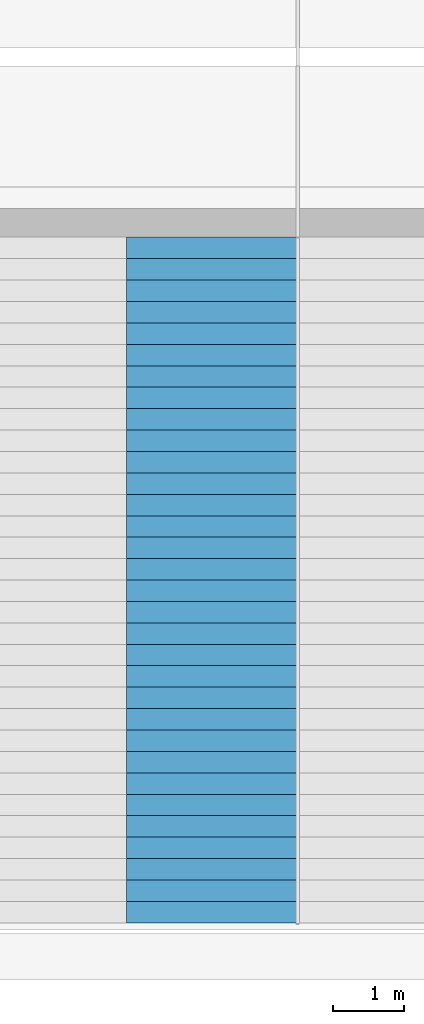
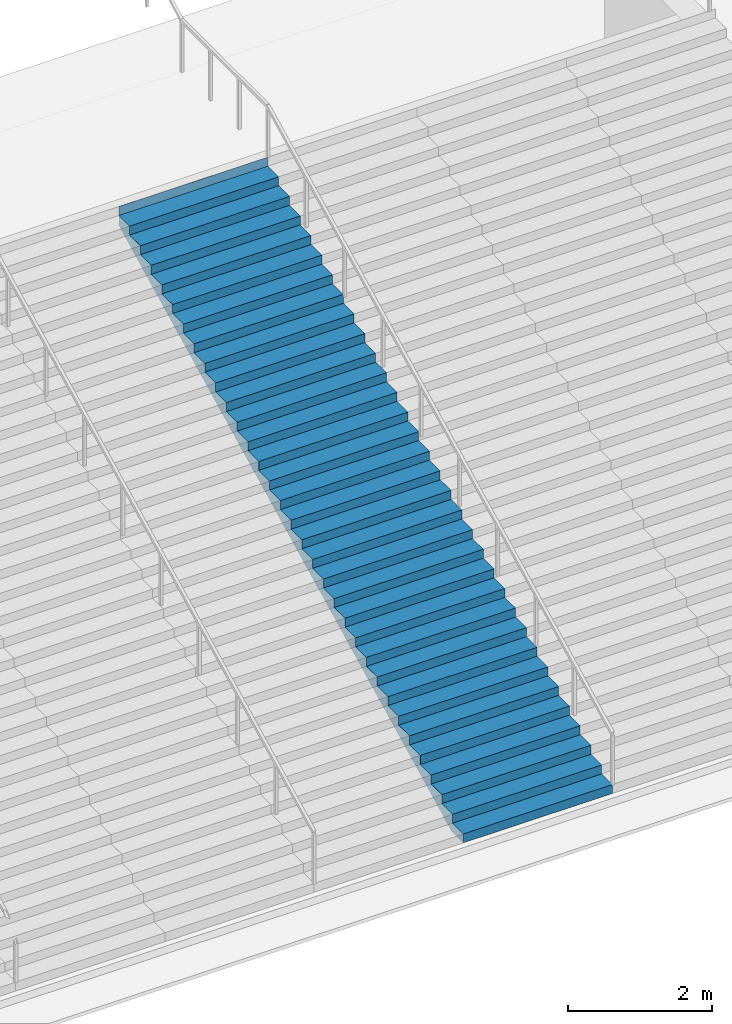
# One storey, part 36 of 57: 1 stair flight, 1 element without a shape of its own.
"""IFC4 building model written with IfcOpenShell, lengths in metres."""

from ifc_helpers import new_model, si_unit, direction, frame, origin, place, context, subcontext, project, spatial, triangles, material, type_object, element, aggregate, save


model = new_model("IFC4")

# Units and contexts
model_context = context("Model", 3, precision=1e-05, world=origin(), true_north=direction((0.0, 1.0)))
body_context = subcontext(model_context, "Body", "Model", "MODEL_VIEW")
ifc_project = project(units=[si_unit("LENGTHUNIT", "METRE"), si_unit("AREAUNIT", "SQUARE_METRE"), si_unit("VOLUMEUNIT", "CUBIC_METRE"), si_unit("PLANEANGLEUNIT", "RADIAN"), si_unit("MASSUNIT", "GRAM", prefix="KILO")], contexts=[model_context])

# Site, building, storey
site_placement = place(None, origin())
site = spatial("IfcSite", under=ifc_project, at=site_placement, CompositionType="ELEMENT")
building_placement = place(site_placement, origin())
building = spatial("IfcBuilding", under=site, at=building_placement, Name="Beryl Residences", CompositionType="ELEMENT")
storey_placement = place(building_placement, origin())
storey = spatial("IfcBuildingStorey", under=building, at=storey_placement, Name="L00", CompositionType="ELEMENT", Elevation=0.0)

# Stair, stair flight
ifc_material_1 = material(Name="Precast concrete C40/50", Category="concrete")
stair_type = type_object("IfcStairType", Name="GS1 garden stair", PredefinedType="STRAIGHT_RUN_STAIR", material=ifc_material_1)
stair_placement = place(storey_placement, origin())
stair = element("IfcStair", 1, at=stair_placement, inside=storey, type_object=stair_type, Name="GS1 garden stair", PredefinedType="STRAIGHT_RUN_STAIR")
ifc_material_2 = material(Name="Precast concrete C40/50", Category="concrete")
stair_flight_type = type_object("IfcStairFlightType", Name="GF1 garden stair flight", PredefinedType="STRAIGHT", material=ifc_material_2)
stair_flight_placement = place(storey_placement, frame((3.60009765625, -54.199951171875, 0.0), z_axis=(0.0, 0.0, 1.0), x_axis=(0.0, 1.0, 0.0)))
stair_flight = element("IfcStairFlight", 2, at=stair_flight_placement, type_object=stair_flight_type, Name="GS1 flight 7", NumberOfRisers=33, NumberOfTreads=32, PredefinedType="STRAIGHT", RiserHeight=0.151515152, TreadLength=0.3, context=body_context, shape_type="Tessellation", body=[
    triangles([(0.0, -1.199951171875, 0.0), (0.0, -0.60009765625, 0.0), (0.0, 0.0, 0.0), (0.0, 0.60009765625, 0.0), (0.0, 1.199951171875, 0.0), (0.0, -1.199951171875, 0.151611328125), (0.0, -0.60009765625, 0.151611328125), (0.0, 0.0, 0.151611328125), (0.0, 0.60009765625, 0.151611328125), (0.0, 1.199951171875, 0.151611328125), (0.300048828125, -1.199951171875, 0.151611328125), (0.300048828125, -0.60009765625, 0.151611328125), (0.300048828125, 0.0, 0.151611328125), (0.300048828125, 0.60009765625, 0.151611328125), (0.300048828125, 1.199951171875, 0.151611328125), (0.300048828125, -1.199951171875, 0.302978515625), (0.300048828125, -0.60009765625, 0.302978515625), (0.300048828125, 0.0, 0.302978515625), (0.300048828125, 0.60009765625, 0.302978515625), (0.300048828125, 1.199951171875, 0.302978515625), (0.60009765625, -1.199951171875, 0.302978515625), (0.60009765625, -0.60009765625, 0.302978515625), (0.60009765625, 0.0, 0.302978515625), (0.60009765625, 0.60009765625, 0.302978515625), (0.60009765625, 1.199951171875, 0.302978515625), (0.60009765625, -1.199951171875, 0.45458984375), (0.60009765625, -0.60009765625, 0.45458984375), (0.60009765625, 0.0, 0.45458984375), (0.60009765625, 0.60009765625, 0.45458984375), (0.60009765625, 1.199951171875, 0.45458984375), (0.89990234375, -1.199951171875, 0.45458984375), (0.89990234375, -0.60009765625, 0.45458984375), (0.89990234375, 0.0, 0.45458984375), (0.89990234375, 0.60009765625, 0.45458984375), (0.89990234375, 1.199951171875, 0.45458984375), (0.89990234375, -1.199951171875, 0.60595703125), (0.89990234375, -0.60009765625, 0.60595703125), (0.89990234375, 0.0, 0.60595703125), (0.89990234375, 0.60009765625, 0.60595703125), (0.89990234375, 1.199951171875, 0.60595703125), (1.199951171875, -1.199951171875, 0.60595703125), (1.199951171875, -0.60009765625, 0.60595703125), (1.199951171875, 0.0, 0.60595703125), (1.199951171875, 0.60009765625, 0.60595703125), (1.199951171875, 1.199951171875, 0.60595703125), (1.199951171875, -1.199951171875, 0.757568359375), (1.199951171875, -0.60009765625, 0.757568359375), (1.199951171875, 0.0, 0.757568359375), (1.199951171875, 0.60009765625, 0.757568359375), (1.199951171875, 1.199951171875, 0.757568359375), (1.5, -1.199951171875, 0.757568359375), (1.5, -0.60009765625, 0.757568359375), (1.5, 0.0, 0.757568359375), (1.5, 0.60009765625, 0.757568359375), (1.5, 1.199951171875, 0.757568359375), (1.5, -1.199951171875, 0.9091796875), (1.5, -0.60009765625, 0.9091796875), (1.5, 0.0, 0.9091796875), (1.5, 0.60009765625, 0.9091796875), (1.5, 1.199951171875, 0.9091796875), (1.800048828125, -1.199951171875, 0.9091796875), (1.800048828125, -0.60009765625, 0.9091796875), (1.800048828125, 0.0, 0.9091796875), (1.800048828125, 0.60009765625, 0.9091796875), (1.800048828125, 1.199951171875, 0.9091796875), (1.800048828125, -1.199951171875, 1.060546875), (1.800048828125, -0.60009765625, 1.060546875), (1.800048828125, 0.0, 1.060546875), (1.800048828125, 0.60009765625, 1.060546875), (1.800048828125, 1.199951171875, 1.060546875), (2.10009765625, -1.199951171875, 1.060546875), (2.10009765625, -0.60009765625, 1.060546875), (2.10009765625, 0.0, 1.060546875), (2.10009765625, 0.60009765625, 1.060546875), (2.10009765625, 1.199951171875, 1.060546875), (2.10009765625, -1.199951171875, 1.212158203125), (2.10009765625, -0.60009765625, 1.212158203125), (2.10009765625, 0.0, 1.212158203125), (2.10009765625, 0.60009765625, 1.212158203125), (2.10009765625, 1.199951171875, 1.212158203125), (2.39990234375, -1.199951171875, 1.212158203125), (2.39990234375, -0.60009765625, 1.212158203125), (2.39990234375, 0.0, 1.212158203125), (2.39990234375, 0.60009765625, 1.212158203125), (2.39990234375, 1.199951171875, 1.212158203125), (2.39990234375, -1.199951171875, 1.363525390625), (2.39990234375, -0.60009765625, 1.363525390625), (2.39990234375, 0.0, 1.363525390625), (2.39990234375, 0.60009765625, 1.363525390625), (2.39990234375, 1.199951171875, 1.363525390625), (2.699951171875, -1.199951171875, 1.363525390625), (2.699951171875, -0.60009765625, 1.363525390625), (2.699951171875, 0.0, 1.363525390625), (2.699951171875, 0.60009765625, 1.363525390625), (2.699951171875, 1.199951171875, 1.363525390625), (2.699951171875, -1.199951171875, 1.51513671875), (2.699951171875, -0.60009765625, 1.51513671875), (2.699951171875, 0.0, 1.51513671875), (2.699951171875, 0.60009765625, 1.51513671875), (2.699951171875, 1.199951171875, 1.51513671875), (3.0, -1.199951171875, 1.51513671875), (3.0, -0.60009765625, 1.51513671875), (3.0, 0.0, 1.51513671875), (3.0, 0.60009765625, 1.51513671875), (3.0, 1.199951171875, 1.51513671875), (3.0, -1.199951171875, 1.666748046875), (3.0, -0.60009765625, 1.666748046875), (3.0, 0.0, 1.666748046875), (3.0, 0.60009765625, 1.666748046875), (3.0, 1.199951171875, 1.666748046875), (3.300048828125, -1.199951171875, 1.666748046875), (3.300048828125, -0.60009765625, 1.666748046875), (3.300048828125, 0.0, 1.666748046875), (3.300048828125, 0.60009765625, 1.666748046875), (3.300048828125, 1.199951171875, 1.666748046875), (3.300048828125, -1.199951171875, 1.818115234375), (3.300048828125, -0.60009765625, 1.818115234375), (3.300048828125, 0.0, 1.818115234375), (3.300048828125, 0.60009765625, 1.818115234375), (3.300048828125, 1.199951171875, 1.818115234375), (3.60009765625, -1.199951171875, 1.818115234375), (3.60009765625, -0.60009765625, 1.818115234375), (3.60009765625, 0.0, 1.818115234375), (3.60009765625, 0.60009765625, 1.818115234375), (3.60009765625, 1.199951171875, 1.818115234375), (3.60009765625, -1.199951171875, 1.9697265625), (3.60009765625, -0.60009765625, 1.9697265625), (3.60009765625, 0.0, 1.9697265625), (3.60009765625, 0.60009765625, 1.9697265625), (3.60009765625, 1.199951171875, 1.9697265625), (3.89990234375, -1.199951171875, 1.9697265625), (3.89990234375, -0.60009765625, 1.9697265625), (3.89990234375, 0.0, 1.9697265625), (3.89990234375, 0.60009765625, 1.9697265625), (3.89990234375, 1.199951171875, 1.9697265625), (3.89990234375, -1.199951171875, 2.12109375), (3.89990234375, -0.60009765625, 2.12109375), (3.89990234375, 0.0, 2.12109375), (3.89990234375, 0.60009765625, 2.12109375), (3.89990234375, 1.199951171875, 2.12109375), (4.199951171875, -1.199951171875, 2.12109375), (4.199951171875, -0.60009765625, 2.12109375), (4.199951171875, 0.0, 2.12109375), (4.199951171875, 0.60009765625, 2.12109375), (4.199951171875, 1.199951171875, 2.12109375), (4.199951171875, -1.199951171875, 2.272705078125), (4.199951171875, -0.60009765625, 2.272705078125), (4.199951171875, 0.0, 2.272705078125), (4.199951171875, 0.60009765625, 2.272705078125), (4.199951171875, 1.199951171875, 2.272705078125), (4.5, -1.199951171875, 2.272705078125), (4.5, -0.60009765625, 2.272705078125), (4.5, 0.0, 2.272705078125), (4.5, 0.60009765625, 2.272705078125), (4.5, 1.199951171875, 2.272705078125), (4.5, -1.199951171875, 2.42431640625), (4.5, -0.60009765625, 2.42431640625), (4.5, 0.0, 2.42431640625), (4.5, 0.60009765625, 2.42431640625), (4.5, 1.199951171875, 2.42431640625), (4.800048828125, -1.199951171875, 2.42431640625), (4.800048828125, -0.60009765625, 2.42431640625), (4.800048828125, 0.0, 2.42431640625), (4.800048828125, 0.60009765625, 2.42431640625), (4.800048828125, 1.199951171875, 2.42431640625), (4.800048828125, -1.199951171875, 2.57568359375), (4.800048828125, -0.60009765625, 2.57568359375), (4.800048828125, 0.0, 2.57568359375), (4.800048828125, 0.60009765625, 2.57568359375), (4.800048828125, 1.199951171875, 2.57568359375), (5.10009765625, -1.199951171875, 2.57568359375), (5.10009765625, -0.60009765625, 2.57568359375), (5.10009765625, 0.0, 2.57568359375), (5.10009765625, 0.60009765625, 2.57568359375), (5.10009765625, 1.199951171875, 2.57568359375), (5.10009765625, -1.199951171875, 2.727294921875), (5.10009765625, -0.60009765625, 2.727294921875), (5.10009765625, 0.0, 2.727294921875), (5.10009765625, 0.60009765625, 2.727294921875), (5.10009765625, 1.199951171875, 2.727294921875), (5.39990234375, -1.199951171875, 2.727294921875), (5.39990234375, -0.60009765625, 2.727294921875), (5.39990234375, 0.0, 2.727294921875), (5.39990234375, 0.60009765625, 2.727294921875), (5.39990234375, 1.199951171875, 2.727294921875), (5.39990234375, -1.199951171875, 2.87890625), (5.39990234375, -0.60009765625, 2.87890625), (5.39990234375, 0.0, 2.87890625), (5.39990234375, 0.60009765625, 2.87890625), (5.39990234375, 1.199951171875, 2.87890625), (5.699951171875, -1.199951171875, 2.87890625), (5.699951171875, -0.60009765625, 2.87890625), (5.699951171875, 0.0, 2.87890625), (5.699951171875, 0.60009765625, 2.87890625), (5.699951171875, 1.199951171875, 2.87890625), (5.699951171875, -1.199951171875, 3.0302734375), (5.699951171875, -0.60009765625, 3.0302734375), (5.699951171875, 0.0, 3.0302734375), (5.699951171875, 0.60009765625, 3.0302734375), (5.699951171875, 1.199951171875, 3.0302734375), (6.0, -1.199951171875, 3.0302734375), (6.0, -0.60009765625, 3.0302734375), (6.0, 0.0, 3.0302734375), (6.0, 0.60009765625, 3.0302734375), (6.0, 1.199951171875, 3.0302734375), (6.0, -1.199951171875, 3.181884765625), (6.0, -0.60009765625, 3.181884765625), (6.0, 0.0, 3.181884765625), (6.0, 0.60009765625, 3.181884765625), (6.0, 1.199951171875, 3.181884765625), (6.300048828125, -1.199951171875, 3.181884765625), (6.300048828125, -0.60009765625, 3.181884765625), (6.300048828125, 0.0, 3.181884765625), (6.300048828125, 0.60009765625, 3.181884765625), (6.300048828125, 1.199951171875, 3.181884765625), (6.300048828125, -1.199951171875, 3.333251953125), (6.300048828125, -0.60009765625, 3.333251953125), (6.300048828125, 0.0, 3.333251953125), (6.300048828125, 0.60009765625, 3.333251953125), (6.300048828125, 1.199951171875, 3.333251953125), (6.60009765625, -1.199951171875, 3.333251953125), (6.60009765625, -0.60009765625, 3.333251953125), (6.60009765625, 0.0, 3.333251953125), (6.60009765625, 0.60009765625, 3.333251953125), (6.60009765625, 1.199951171875, 3.333251953125), (6.60009765625, -1.199951171875, 3.48486328125), (6.60009765625, -0.60009765625, 3.48486328125), (6.60009765625, 0.0, 3.48486328125), (6.60009765625, 0.60009765625, 3.48486328125), (6.60009765625, 1.199951171875, 3.48486328125), (6.89990234375, -1.199951171875, 3.48486328125), (6.89990234375, -0.60009765625, 3.48486328125), (6.89990234375, 0.0, 3.48486328125), (6.89990234375, 0.60009765625, 3.48486328125), (6.89990234375, 1.199951171875, 3.48486328125), (6.89990234375, -1.199951171875, 3.636474609375), (6.89990234375, -0.60009765625, 3.636474609375), (6.89990234375, 0.0, 3.636474609375), (6.89990234375, 0.60009765625, 3.636474609375), (6.89990234375, 1.199951171875, 3.636474609375), (7.199951171875, -1.199951171875, 3.636474609375), (7.199951171875, -0.60009765625, 3.636474609375), (7.199951171875, 0.0, 3.636474609375), (7.199951171875, 0.60009765625, 3.636474609375), (7.199951171875, 1.199951171875, 3.636474609375), (7.199951171875, -1.199951171875, 3.787841796875), (7.199951171875, -0.60009765625, 3.787841796875), (7.199951171875, 0.0, 3.787841796875), (7.199951171875, 0.60009765625, 3.787841796875), (7.199951171875, 1.199951171875, 3.787841796875), (7.5, -1.199951171875, 3.787841796875), (7.5, -0.60009765625, 3.787841796875), (7.5, 0.0, 3.787841796875), (7.5, 0.60009765625, 3.787841796875), (7.5, 1.199951171875, 3.787841796875), (7.5, -1.199951171875, 3.939453125), (7.5, -0.60009765625, 3.939453125), (7.5, 0.0, 3.939453125), (7.5, 0.60009765625, 3.939453125), (7.5, 1.199951171875, 3.939453125), (7.800048828125, -1.199951171875, 3.939453125), (7.800048828125, -0.60009765625, 3.939453125), (7.800048828125, 0.0, 3.939453125), (7.800048828125, 0.60009765625, 3.939453125), (7.800048828125, 1.199951171875, 3.939453125), (7.800048828125, -1.199951171875, 4.0908203125), (7.800048828125, -0.60009765625, 4.0908203125), (7.800048828125, 0.0, 4.0908203125), (7.800048828125, 0.60009765625, 4.0908203125), (7.800048828125, 1.199951171875, 4.0908203125), (8.10009765625, -1.199951171875, 4.0908203125), (8.10009765625, -0.60009765625, 4.0908203125), (8.10009765625, 0.0, 4.0908203125), (8.10009765625, 0.60009765625, 4.0908203125), (8.10009765625, 1.199951171875, 4.0908203125), (8.10009765625, -1.199951171875, 4.242431640625), (8.10009765625, -0.60009765625, 4.242431640625), (8.10009765625, 0.0, 4.242431640625), (8.10009765625, 0.60009765625, 4.242431640625), (8.10009765625, 1.199951171875, 4.242431640625), (8.39990234375, -1.199951171875, 4.242431640625), (8.39990234375, -0.60009765625, 4.242431640625), (8.39990234375, 0.0, 4.242431640625), (8.39990234375, 0.60009765625, 4.242431640625), (8.39990234375, 1.199951171875, 4.242431640625), (8.39990234375, -1.199951171875, 4.39404296875), (8.39990234375, -0.60009765625, 4.39404296875), (8.39990234375, 0.0, 4.39404296875), (8.39990234375, 0.60009765625, 4.39404296875), (8.39990234375, 1.199951171875, 4.39404296875), (8.699951171875, -1.199951171875, 4.39404296875), (8.699951171875, -0.60009765625, 4.39404296875), (8.699951171875, 0.0, 4.39404296875), (8.699951171875, 0.60009765625, 4.39404296875), (8.699951171875, 1.199951171875, 4.39404296875), (8.699951171875, -1.199951171875, 4.54541015625), (8.699951171875, -0.60009765625, 4.54541015625), (8.699951171875, 0.0, 4.54541015625), (8.699951171875, 0.60009765625, 4.54541015625), (8.699951171875, 1.199951171875, 4.54541015625), (9.0, -1.199951171875, 4.54541015625), (9.0, -0.60009765625, 4.54541015625), (9.0, 0.0, 4.54541015625), (9.0, 0.60009765625, 4.54541015625), (9.0, 1.199951171875, 4.54541015625), (9.0, -1.199951171875, 4.697021484375), (9.0, -0.60009765625, 4.697021484375), (9.0, 0.0, 4.697021484375), (9.0, 0.60009765625, 4.697021484375), (9.0, 1.199951171875, 4.697021484375), (9.300048828125, -1.199951171875, 4.697021484375), (9.300048828125, -0.60009765625, 4.697021484375), (9.300048828125, 0.0, 4.697021484375), (9.300048828125, 0.60009765625, 4.697021484375), (9.300048828125, 1.199951171875, 4.697021484375), (9.300048828125, -1.199951171875, 4.848388671875), (9.300048828125, -0.60009765625, 4.848388671875), (9.300048828125, 0.0, 4.848388671875), (9.300048828125, 0.60009765625, 4.848388671875), (9.300048828125, 1.199951171875, 4.848388671875), (9.60009765625, -1.199951171875, 4.848388671875), (9.60009765625, -0.60009765625, 4.848388671875), (9.60009765625, 0.0, 4.848388671875), (9.60009765625, 0.60009765625, 4.848388671875), (9.60009765625, 1.199951171875, 4.848388671875), (9.60009765625, -1.199951171875, 5.0), (9.60009765625, -0.60009765625, 5.0), (9.60009765625, 0.0, 5.0), (9.60009765625, 0.60009765625, 5.0), (9.60009765625, 1.199951171875, 5.0), (9.60107421875, -1.199951171875, 5.0), (9.60107421875, -0.60009765625, 5.0), (9.60107421875, 0.0, 5.0), (9.60107421875, 0.60009765625, 5.0), (9.60107421875, 1.199951171875, 5.0), (9.60107421875, -1.199951171875, 4.6806640625), (9.60107421875, -0.60009765625, 4.6806640625), (9.60107421875, 0.0, 4.6806640625), (9.60107421875, 0.60009765625, 4.6806640625), (9.60107421875, 1.199951171875, 4.6806640625), (0.33349609375, -1.199951171875, 0.0), (0.33349609375, -0.60009765625, 0.0), (0.33349609375, 0.0, 0.0), (0.33349609375, 0.60009765625, 0.0), (0.33349609375, 1.199951171875, 0.0)], [[1, 6, 7], [1, 7, 2], [2, 7, 8], [2, 8, 3], [3, 8, 9], [3, 9, 4], [4, 9, 10], [4, 10, 5], [6, 11, 12], [6, 12, 7], [7, 12, 13], [7, 13, 8], [8, 13, 14], [8, 14, 9], [9, 14, 15], [9, 15, 10], [11, 16, 17], [11, 17, 12], [12, 17, 18], [12, 18, 13], [13, 18, 19], [13, 19, 14], [14, 19, 20], [14, 20, 15], [16, 21, 22], [16, 22, 17], [17, 22, 23], [17, 23, 18], [18, 23, 24], [18, 24, 19], [19, 24, 25], [19, 25, 20], [21, 26, 27], [21, 27, 22], [22, 27, 28], [22, 28, 23], [23, 28, 29], [23, 29, 24], [24, 29, 30], [24, 30, 25], [26, 31, 32], [26, 32, 27], [27, 32, 33], [27, 33, 28], [28, 33, 34], [28, 34, 29], [29, 34, 35], [29, 35, 30], [31, 36, 37], [31, 37, 32], [32, 37, 38], [32, 38, 33], [33, 38, 39], [33, 39, 34], [34, 39, 40], [34, 40, 35], [36, 41, 42], [36, 42, 37], [37, 42, 43], [37, 43, 38], [38, 43, 44], [38, 44, 39], [39, 44, 45], [39, 45, 40], [41, 46, 47], [41, 47, 42], [42, 47, 48], [42, 48, 43], [43, 48, 49], [43, 49, 44], [44, 49, 50], [44, 50, 45], [46, 51, 52], [46, 52, 47], [47, 52, 53], [47, 53, 48], [48, 53, 54], [48, 54, 49], [49, 54, 55], [49, 55, 50], [51, 56, 57], [51, 57, 52], [52, 57, 58], [52, 58, 53], [53, 58, 59], [53, 59, 54], [54, 59, 60], [54, 60, 55], [56, 61, 62], [56, 62, 57], [57, 62, 63], [57, 63, 58], [58, 63, 64], [58, 64, 59], [59, 64, 65], [59, 65, 60], [61, 66, 67], [61, 67, 62], [62, 67, 68], [62, 68, 63], [63, 68, 69], [63, 69, 64], [64, 69, 70], [64, 70, 65], [66, 71, 72], [66, 72, 67], [67, 72, 73], [67, 73, 68], [68, 73, 74], [68, 74, 69], [69, 74, 75], [69, 75, 70], [71, 76, 77], [71, 77, 72], [72, 77, 78], [72, 78, 73], [73, 78, 79], [73, 79, 74], [74, 79, 80], [74, 80, 75], [76, 81, 82], [76, 82, 77], [77, 82, 83], [77, 83, 78], [78, 83, 84], [78, 84, 79], [79, 84, 85], [79, 85, 80], [81, 86, 87], [81, 87, 82], [82, 87, 88], [82, 88, 83], [83, 88, 89], [83, 89, 84], [84, 89, 90], [84, 90, 85], [86, 91, 92], [86, 92, 87], [87, 92, 93], [87, 93, 88], [88, 93, 94], [88, 94, 89], [89, 94, 95], [89, 95, 90], [91, 96, 97], [91, 97, 92], [92, 97, 98], [92, 98, 93], [93, 98, 99], [93, 99, 94], [94, 99, 100], [94, 100, 95], [96, 101, 102], [96, 102, 97], [97, 102, 103], [97, 103, 98], [98, 103, 104], [98, 104, 99], [99, 104, 105], [99, 105, 100], [101, 106, 107], [101, 107, 102], [102, 107, 108], [102, 108, 103], [103, 108, 109], [103, 109, 104], [104, 109, 110], [104, 110, 105], [106, 111, 112], [106, 112, 107], [107, 112, 113], [107, 113, 108], [108, 113, 114], [108, 114, 109], [109, 114, 115], [109, 115, 110], [111, 116, 117], [111, 117, 112], [112, 117, 118], [112, 118, 113], [113, 118, 119], [113, 119, 114], [114, 119, 120], [114, 120, 115], [116, 121, 122], [116, 122, 117], [117, 122, 123], [117, 123, 118], [118, 123, 124], [118, 124, 119], [119, 124, 125], [119, 125, 120], [121, 126, 127], [121, 127, 122], [122, 127, 128], [122, 128, 123], [123, 128, 129], [123, 129, 124], [124, 129, 130], [124, 130, 125], [126, 131, 132], [126, 132, 127], [127, 132, 133], [127, 133, 128], [128, 133, 134], [128, 134, 129], [129, 134, 135], [129, 135, 130], [131, 136, 137], [131, 137, 132], [132, 137, 138], [132, 138, 133], [133, 138, 139], [133, 139, 134], [134, 139, 140], [134, 140, 135], [136, 141, 142], [136, 142, 137], [137, 142, 143], [137, 143, 138], [138, 143, 144], [138, 144, 139], [139, 144, 145], [139, 145, 140], [141, 146, 147], [141, 147, 142], [142, 147, 148], [142, 148, 143], [143, 148, 149], [143, 149, 144], [144, 149, 150], [144, 150, 145], [146, 151, 152], [146, 152, 147], [147, 152, 153], [147, 153, 148], [148, 153, 154], [148, 154, 149], [149, 154, 155], [149, 155, 150], [151, 156, 157], [151, 157, 152], [152, 157, 158], [152, 158, 153], [153, 158, 159], [153, 159, 154], [154, 159, 160], [154, 160, 155], [156, 161, 162], [156, 162, 157], [157, 162, 163], [157, 163, 158], [158, 163, 164], [158, 164, 159], [159, 164, 165], [159, 165, 160], [161, 166, 167], [161, 167, 162], [162, 167, 168], [162, 168, 163], [163, 168, 169], [163, 169, 164], [164, 169, 170], [164, 170, 165], [166, 171, 172], [166, 172, 167], [167, 172, 173], [167, 173, 168], [168, 173, 174], [168, 174, 169], [169, 174, 175], [169, 175, 170], [171, 176, 177], [171, 177, 172], [172, 177, 178], [172, 178, 173], [173, 178, 179], [173, 179, 174], [174, 179, 180], [174, 180, 175], [176, 181, 182], [176, 182, 177], [177, 182, 183], [177, 183, 178], [178, 183, 184], [178, 184, 179], [179, 184, 185], [179, 185, 180], [181, 186, 187], [181, 187, 182], [182, 187, 188], [182, 188, 183], [183, 188, 189], [183, 189, 184], [184, 189, 190], [184, 190, 185], [186, 191, 192], [186, 192, 187], [187, 192, 193], [187, 193, 188], [188, 193, 194], [188, 194, 189], [189, 194, 195], [189, 195, 190], [191, 196, 197], [191, 197, 192], [192, 197, 198], [192, 198, 193], [193, 198, 199], [193, 199, 194], [194, 199, 200], [194, 200, 195], [196, 201, 202], [196, 202, 197], [197, 202, 203], [197, 203, 198], [198, 203, 204], [198, 204, 199], [199, 204, 205], [199, 205, 200], [201, 206, 207], [201, 207, 202], [202, 207, 208], [202, 208, 203], [203, 208, 209], [203, 209, 204], [204, 209, 210], [204, 210, 205], [206, 211, 212], [206, 212, 207], [207, 212, 213], [207, 213, 208], [208, 213, 214], [208, 214, 209], [209, 214, 215], [209, 215, 210], [211, 216, 217], [211, 217, 212], [212, 217, 218], [212, 218, 213], [213, 218, 219], [213, 219, 214], [214, 219, 220], [214, 220, 215], [216, 221, 222], [216, 222, 217], [217, 222, 223], [217, 223, 218], [218, 223, 224], [218, 224, 219], [219, 224, 225], [219, 225, 220], [221, 226, 227], [221, 227, 222], [222, 227, 228], [222, 228, 223], [223, 228, 229], [223, 229, 224], [224, 229, 230], [224, 230, 225], [226, 231, 232], [226, 232, 227], [227, 232, 233], [227, 233, 228], [228, 233, 234], [228, 234, 229], [229, 234, 235], [229, 235, 230], [231, 236, 237], [231, 237, 232], [232, 237, 238], [232, 238, 233], [233, 238, 239], [233, 239, 234], [234, 239, 240], [234, 240, 235], [236, 241, 242], [236, 242, 237], [237, 242, 243], [237, 243, 238], [238, 243, 244], [238, 244, 239], [239, 244, 245], [239, 245, 240], [241, 246, 247], [241, 247, 242], [242, 247, 248], [242, 248, 243], [243, 248, 249], [243, 249, 244], [244, 249, 250], [244, 250, 245], [246, 251, 252], [246, 252, 247], [247, 252, 253], [247, 253, 248], [248, 253, 254], [248, 254, 249], [249, 254, 255], [249, 255, 250], [251, 256, 257], [251, 257, 252], [252, 257, 258], [252, 258, 253], [253, 258, 259], [253, 259, 254], [254, 259, 260], [254, 260, 255], [256, 261, 262], [256, 262, 257], [257, 262, 263], [257, 263, 258], [258, 263, 264], [258, 264, 259], [259, 264, 265], [259, 265, 260], [261, 266, 267], [261, 267, 262], [262, 267, 268], [262, 268, 263], [263, 268, 269], [263, 269, 264], [264, 269, 270], [264, 270, 265], [266, 271, 272], [266, 272, 267], [267, 272, 273], [267, 273, 268], [268, 273, 274], [268, 274, 269], [269, 274, 275], [269, 275, 270], [271, 276, 277], [271, 277, 272], [272, 277, 278], [272, 278, 273], [273, 278, 279], [273, 279, 274], [274, 279, 280], [274, 280, 275], [276, 281, 282], [276, 282, 277], [277, 282, 283], [277, 283, 278], [278, 283, 284], [278, 284, 279], [279, 284, 285], [279, 285, 280], [281, 286, 287], [281, 287, 282], [282, 287, 288], [282, 288, 283], [283, 288, 289], [283, 289, 284], [284, 289, 290], [284, 290, 285], [286, 291, 292], [286, 292, 287], [287, 292, 293], [287, 293, 288], [288, 293, 294], [288, 294, 289], [289, 294, 295], [289, 295, 290], [291, 296, 297], [291, 297, 292], [292, 297, 298], [292, 298, 293], [293, 298, 299], [293, 299, 294], [294, 299, 300], [294, 300, 295], [296, 301, 302], [296, 302, 297], [297, 302, 303], [297, 303, 298], [298, 303, 304], [298, 304, 299], [299, 304, 305], [299, 305, 300], [301, 306, 307], [301, 307, 302], [302, 307, 308], [302, 308, 303], [303, 308, 309], [303, 309, 304], [304, 309, 310], [304, 310, 305], [306, 311, 312], [306, 312, 307], [307, 312, 313], [307, 313, 308], [308, 313, 314], [308, 314, 309], [309, 314, 315], [309, 315, 310], [311, 316, 317], [311, 317, 312], [312, 317, 318], [312, 318, 313], [313, 318, 319], [313, 319, 314], [314, 319, 320], [314, 320, 315], [316, 321, 322], [316, 322, 317], [317, 322, 323], [317, 323, 318], [318, 323, 324], [318, 324, 319], [319, 324, 325], [319, 325, 320], [321, 326, 327], [321, 327, 322], [322, 327, 328], [322, 328, 323], [323, 328, 329], [323, 329, 324], [324, 329, 330], [324, 330, 325], [326, 331, 332], [326, 332, 327], [327, 332, 333], [327, 333, 328], [328, 333, 334], [328, 334, 329], [329, 334, 335], [329, 335, 330], [331, 336, 337], [331, 337, 332], [332, 337, 338], [332, 338, 333], [333, 338, 339], [333, 339, 334], [334, 339, 340], [334, 340, 335], [336, 341, 342], [336, 342, 337], [337, 342, 343], [337, 343, 338], [338, 343, 344], [338, 344, 339], [339, 344, 345], [339, 345, 340], [341, 1, 2], [341, 2, 342], [342, 2, 3], [342, 3, 343], [343, 3, 4], [343, 4, 344], [344, 4, 5], [344, 5, 345], [1, 341, 336], [5, 340, 345], [336, 331, 326], [340, 330, 335], [336, 326, 321], [340, 325, 330], [336, 321, 316], [340, 320, 325], [336, 316, 311], [340, 315, 320], [336, 311, 306], [340, 310, 315], [336, 306, 301], [340, 305, 310], [301, 296, 291], [305, 295, 300], [336, 301, 291], [340, 295, 305], [291, 286, 281], [295, 285, 290], [336, 291, 281], [340, 285, 295], [281, 276, 271], [285, 275, 280], [336, 281, 271], [340, 275, 285], [271, 266, 261], [275, 265, 270], [336, 271, 261], [340, 265, 275], [261, 256, 251], [265, 255, 260], [336, 261, 251], [340, 255, 265], [251, 246, 241], [255, 245, 250], [336, 251, 241], [340, 245, 255], [241, 236, 231], [245, 235, 240], [336, 241, 231], [340, 235, 245], [231, 226, 221], [235, 225, 230], [336, 231, 221], [340, 225, 235], [221, 216, 211], [225, 215, 220], [336, 221, 211], [340, 215, 225], [211, 206, 201], [215, 205, 210], [336, 211, 201], [340, 205, 215], [201, 196, 191], [205, 195, 200], [336, 201, 191], [340, 195, 205], [191, 186, 181], [195, 185, 190], [336, 191, 181], [340, 185, 195], [181, 176, 171], [185, 175, 180], [336, 181, 171], [340, 175, 185], [171, 166, 161], [175, 165, 170], [336, 171, 161], [340, 165, 175], [161, 156, 151], [165, 155, 160], [336, 161, 151], [340, 155, 165], [151, 146, 141], [155, 145, 150], [336, 151, 141], [340, 145, 155], [141, 136, 131], [145, 135, 140], [336, 141, 131], [340, 135, 145], [131, 126, 121], [135, 125, 130], [336, 131, 121], [340, 125, 135], [121, 116, 111], [125, 115, 120], [336, 121, 111], [340, 115, 125], [111, 106, 101], [115, 105, 110], [336, 111, 101], [340, 105, 115], [101, 96, 91], [105, 95, 100], [336, 101, 91], [340, 95, 105], [91, 86, 81], [95, 85, 90], [336, 91, 81], [340, 85, 95], [81, 76, 71], [85, 75, 80], [336, 81, 71], [340, 75, 85], [71, 66, 61], [75, 65, 70], [336, 71, 61], [340, 65, 75], [61, 56, 51], [65, 55, 60], [336, 61, 51], [340, 55, 65], [51, 46, 41], [55, 45, 50], [336, 51, 41], [340, 45, 55], [41, 36, 31], [45, 35, 40], [336, 41, 31], [340, 35, 45], [31, 26, 21], [35, 25, 30], [336, 31, 21], [340, 25, 35], [1, 336, 21], [5, 25, 340], [21, 16, 11], [25, 15, 20], [1, 21, 11], [5, 15, 25], [11, 6, 1], [15, 5, 10]], closed=True),
])
aggregate(stair, [stair_flight])

save(model, "model.ifc")
